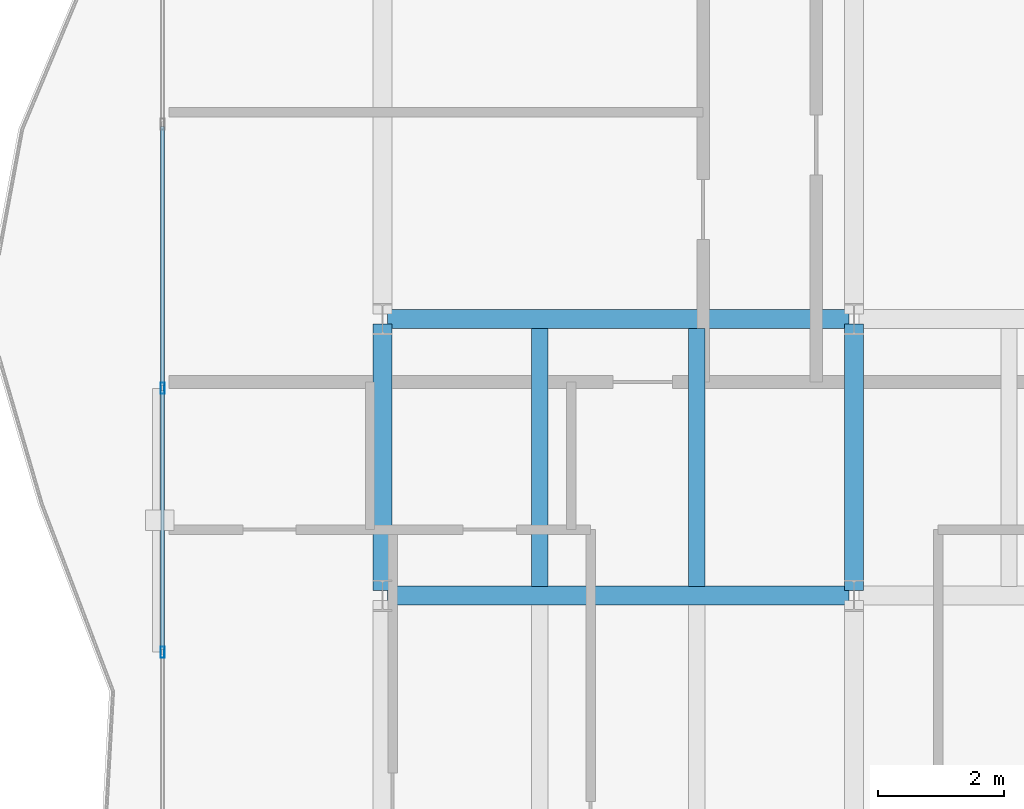
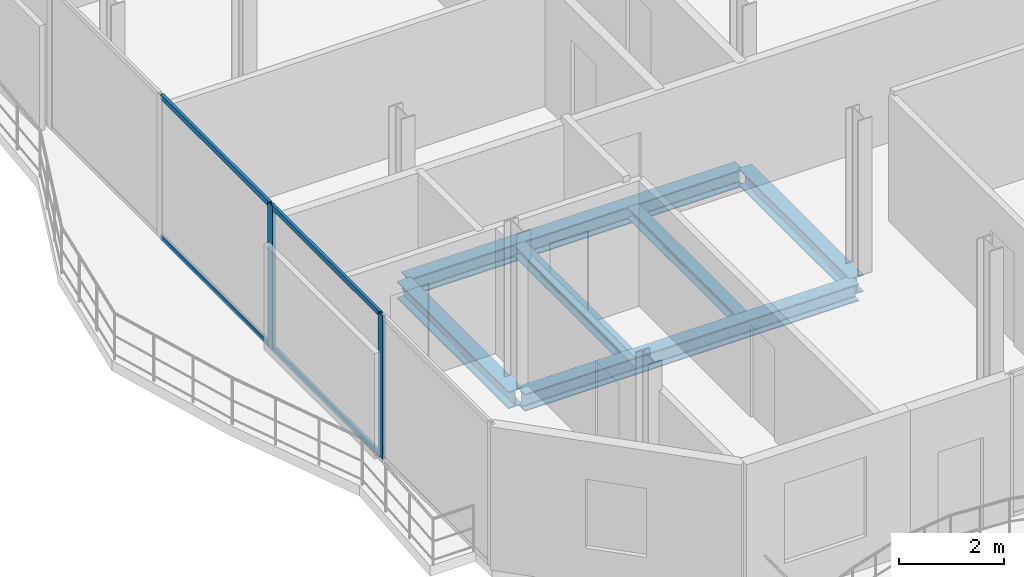
# One storey, part 5 of 23: 6 beams, 6 members, 1 element without a shape of its own.
"""IFC4 building model written with IfcOpenShell, lengths in metres."""

from ifc_helpers import new_model, si_unit, direction, frame, origin, origin_2d, place, context, subcontext, project, spatial, hollow_rectangle, i_section, extrude, material, layer, layer_set, material_profile, profile_set, type_object, element, aggregate, save


model = new_model("IFC4")

# Units and contexts
model_context = context("Model", 3, precision=1e-05, world=origin(), true_north=direction((0.0, 1.0)))
body_context = subcontext(model_context, "Body", "Model", "MODEL_VIEW")
ifc_project = project(units=[si_unit("LENGTHUNIT", "METRE"), si_unit("AREAUNIT", "SQUARE_METRE"), si_unit("VOLUMEUNIT", "CUBIC_METRE"), si_unit("PLANEANGLEUNIT", "RADIAN"), si_unit("MASSUNIT", "GRAM", prefix="KILO")], contexts=[model_context])

# Site, building, storey
site_placement = place(None, origin())
site = spatial("IfcSite", under=ifc_project, at=site_placement, CompositionType="ELEMENT")
building_placement = place(site_placement, origin())
building = spatial("IfcBuilding", under=site, at=building_placement, Name="Catumbela Crestline Tower", CompositionType="ELEMENT")
storey_placement = place(building_placement, frame((0.0, 0.0, 197.4)))
storey = spatial("IfcBuildingStorey", under=building, at=storey_placement, Name="L51", CompositionType="ELEMENT", Elevation=197.4)

# Beams
ifc_material_1 = material(Name="Structural steel S355J2", Category="steel")
ifc_material_profile_1 = material_profile(ifc_material_1, i_section(OverallWidth=0.3, OverallDepth=0.4, WebThickness=0.0135, FlangeThickness=0.024, FilletRadius=0.027, at=origin_2d()), Name="HEB 400")
ifc_profile_set_1 = profile_set([ifc_material_profile_1], Name="Structural steel S355J2")
beam_type_1 = type_object("IfcBeamType", Name="BG-HEB400", PredefinedType="BEAM", material=ifc_profile_set_1)
for number, where, z_axis, x_axis, name in (
    (1, (8.58, 13.6, -0.46), (1.0, 0.0, 0.0), (0.0, 1.0, 0.0), "L51 Beam BM-L51-WEW33"),
    (2, (8.58, 18.0, -0.46), (1.0, 0.0, 0.0), (0.0, 1.0, 0.0), "L51 Beam BM-L51-WEW35"),
):
    element("IfcBeam", number, at=place(storey_placement, frame(where, z_axis=z_axis, x_axis=x_axis)), inside=storey, type_object=beam_type_1, Name=name, PredefinedType="BEAM", context=body_context, shape_type="SweptSolid", body=[
        extrude(i_section(OverallWidth=0.3, OverallDepth=0.4, WebThickness=0.0135, FlangeThickness=0.024, FilletRadius=0.027, at=origin_2d()), origin(), (0.0, 0.0, 1.0), 7.34),
    ])
for number, where, z_axis, x_axis, name in (
    (3, (8.5, 13.68, -0.46), (0.0, 1.0, 0.0), (-1.0, 0.0, 0.0), "L51 Beam BM-L51-WNS38"),
    (4, (16.0, 13.68, -0.46), (0.0, 1.0, 0.0), (-1.0, 0.0, 0.0), "L51 Beam BM-L51-WNS41"),
):
    element("IfcBeam", number, at=place(storey_placement, frame(where, z_axis=z_axis, x_axis=x_axis)), inside=storey, type_object=beam_type_1, Name=name, PredefinedType="BEAM", context=body_context, shape_type="SweptSolid", body=[
        extrude(i_section(OverallWidth=0.3, OverallDepth=0.4, WebThickness=0.0135, FlangeThickness=0.024, FilletRadius=0.027, at=origin_2d()), origin(), (0.0, 0.0, 1.0), 4.24),
    ])
ifc_material_profile_2 = material_profile(ifc_material_1, i_section(OverallWidth=0.26, OverallDepth=0.25, WebThickness=0.0075, FlangeThickness=0.0125, FilletRadius=0.024, at=origin_2d()), Name="HEA 260")
ifc_profile_set_2 = profile_set([ifc_material_profile_2], Name="Structural steel S355J2")
beam_type_2 = type_object("IfcBeamType", Name="BJ-HEA260", PredefinedType="JOIST", material=ifc_profile_set_2)
for number, where, z_axis, x_axis, name in (
    (5, (11.0, 13.747, -0.385), (0.0, 1.0, 0.0), (-1.0, 0.0, 0.0), "L51 Joist JS-L51-WG46"),
    (6, (13.5, 13.747, -0.385), (0.0, 1.0, 0.0), (-1.0, 0.0, 0.0), "L51 Joist JS-L51-WG47"),
):
    element("IfcBeam", number, at=place(storey_placement, frame(where, z_axis=z_axis, x_axis=x_axis)), inside=storey, type_object=beam_type_2, Name=name, PredefinedType="JOIST", context=body_context, shape_type="SweptSolid", body=[
        extrude(i_section(OverallWidth=0.26, OverallDepth=0.25, WebThickness=0.0075, FlangeThickness=0.0125, FilletRadius=0.024, at=origin_2d()), origin(), (0.0, 0.0, 1.0), 4.106),
    ])

# Curtain wall, members
ifc_material_2 = material(Name="Aluminium alloy AW-6060-T66", Category="aluminium")
ifc_layer = layer(ifc_material_2, 0.18, Name="Aluminium alloy AW-6060-T66")
ifc_layer_set = layer_set([ifc_layer], Name="Aluminium alloy AW-6060-T66")
curtain_wall_type = type_object("IfcCurtainWallType", Name="CWU-Z3", PredefinedType="USERDEFINED", material=ifc_layer_set)
curtain_wall_placement = place(storey_placement, origin())
curtain_wall = element("IfcCurtainWall", 7, at=curtain_wall_placement, inside=storey, type_object=curtain_wall_type, Name="L51 Unitised Curtain Wall CW-L51-E9S2", ObjectType="UNITISED", PredefinedType="USERDEFINED")
ifc_material_profile_3 = material_profile(ifc_material_2, hollow_rectangle(XDim=0.065, YDim=0.18, WallThickness=0.004, at=origin_2d()), Name="ALU 180x65x4")
ifc_profile_set_3 = profile_set([ifc_material_profile_3], Name="Aluminium alloy AW-6060-T66")
member_type_1 = type_object("IfcMemberType", Name="MUL-180X65", PredefinedType="MULLION", material=ifc_profile_set_3)
member_1_placement = place(storey_placement, frame((5.0, 16.9, 0.0), z_axis=(0.0, 0.0, 1.0), x_axis=(1.0, 0.0, 0.0)))
member_1 = element("IfcMember", 8, at=member_1_placement, type_object=member_type_1, Name="CWU-Z3 mullion 5", PredefinedType="MULLION", context=body_context, shape_type="SweptSolid", body=[
    extrude(hollow_rectangle(XDim=0.065, YDim=0.18, WallThickness=0.004, at=origin_2d()), origin(), (0.0, 0.0, 1.0), 3.33),
])
member_2_placement = place(storey_placement, frame((5.0, 12.7, 0.0), z_axis=(0.0, 0.0, 1.0), x_axis=(1.0, 0.0, 0.0)))
member_2 = element("IfcMember", 9, at=member_2_placement, type_object=member_type_1, Name="CWU-Z3 mullion 6", PredefinedType="MULLION", context=body_context, shape_type="SweptSolid", body=[
    extrude(hollow_rectangle(XDim=0.065, YDim=0.18, WallThickness=0.004, at=origin_2d()), origin(), (0.0, 0.0, 1.0), 3.33),
])
ifc_material_profile_4 = material_profile(ifc_material_2, hollow_rectangle(XDim=0.06, YDim=0.12, WallThickness=0.0035, at=origin_2d()), Name="ALU 120x60x3.5")
ifc_profile_set_4 = profile_set([ifc_material_profile_4], Name="Aluminium alloy AW-6060-T66")
member_type_2 = type_object("IfcMemberType", Name="TRN-120X60", PredefinedType="USERDEFINED", material=ifc_profile_set_4)
member_3_placement = place(storey_placement, frame((5.0, 21.0675, 0.03), z_axis=(0.0, -1.0, 0.0), x_axis=(1.0, 0.0, 0.0)))
member_3 = element("IfcMember", 10, at=member_3_placement, type_object=member_type_2, Name="CWU-Z3 transom 4.1", ObjectType="TRANSOM", PredefinedType="USERDEFINED", context=body_context, shape_type="SweptSolid", body=[
    extrude(hollow_rectangle(XDim=0.06, YDim=0.12, WallThickness=0.0035, at=origin_2d()), origin(), (0.0, 0.0, 1.0), 4.135),
])
member_4_placement = place(storey_placement, frame((5.0, 21.0675, 3.3), z_axis=(0.0, -1.0, 0.0), x_axis=(1.0, 0.0, 0.0)))
member_4 = element("IfcMember", 11, at=member_4_placement, type_object=member_type_2, Name="CWU-Z3 transom 4.2", ObjectType="TRANSOM", PredefinedType="USERDEFINED", context=body_context, shape_type="SweptSolid", body=[
    extrude(hollow_rectangle(XDim=0.06, YDim=0.12, WallThickness=0.0035, at=origin_2d()), origin(), (0.0, 0.0, 1.0), 4.135),
])
member_5_placement = place(storey_placement, frame((5.0, 16.8675, 0.03), z_axis=(0.0, -1.0, 0.0), x_axis=(1.0, 0.0, 0.0)))
member_5 = element("IfcMember", 12, at=member_5_placement, type_object=member_type_2, Name="CWU-Z3 transom 5.1", ObjectType="TRANSOM", PredefinedType="USERDEFINED", context=body_context, shape_type="SweptSolid", body=[
    extrude(hollow_rectangle(XDim=0.06, YDim=0.12, WallThickness=0.0035, at=origin_2d()), origin(), (0.0, 0.0, 1.0), 4.135),
])
member_6_placement = place(storey_placement, frame((5.0, 16.8675, 3.3), z_axis=(0.0, -1.0, 0.0), x_axis=(1.0, 0.0, 0.0)))
member_6 = element("IfcMember", 13, at=member_6_placement, type_object=member_type_2, Name="CWU-Z3 transom 5.2", ObjectType="TRANSOM", PredefinedType="USERDEFINED", context=body_context, shape_type="SweptSolid", body=[
    extrude(hollow_rectangle(XDim=0.06, YDim=0.12, WallThickness=0.0035, at=origin_2d()), origin(), (0.0, 0.0, 1.0), 4.135),
])
aggregate(curtain_wall, [member_1, member_2, member_3, member_4, member_5, member_6])

save(model, "model.ifc")
